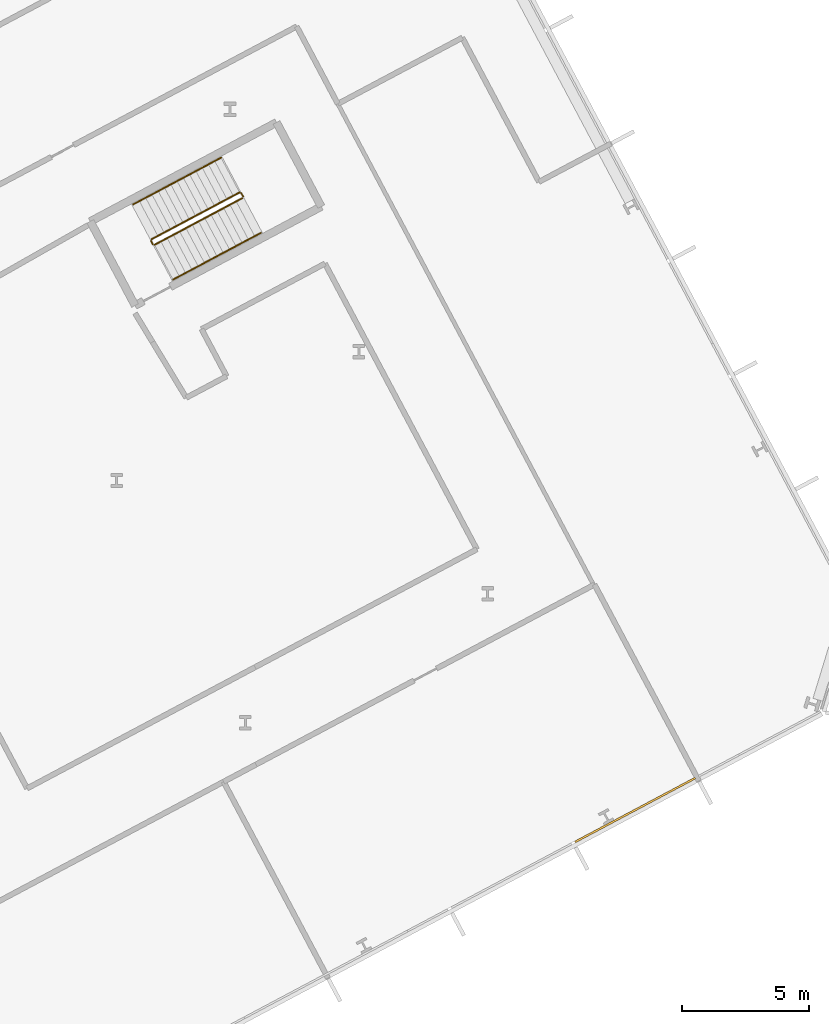
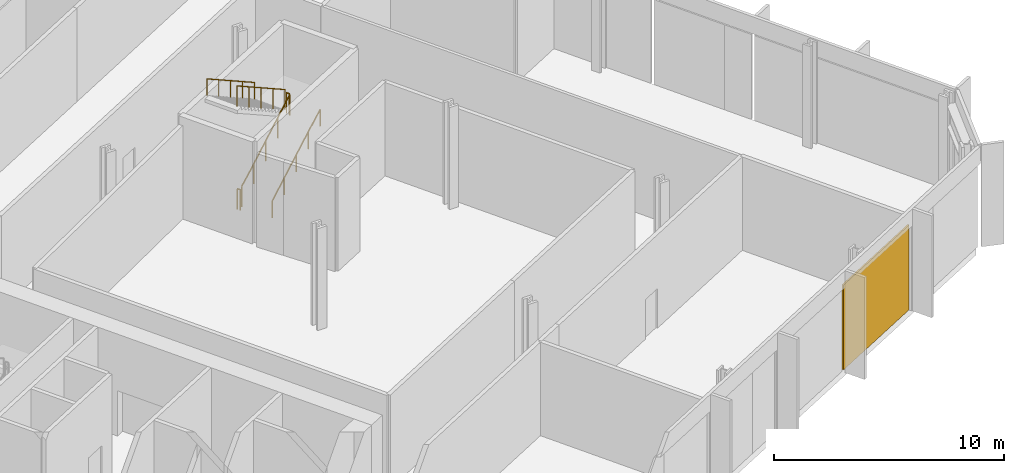
# One storey, part 29 of 31: 6 railings, 1 covering, 1 element without a shape of its own.
"""IFC4 building model written with IfcOpenShell, lengths in metres."""

from ifc_helpers import new_model, si_unit, direction, frame, origin, origin_2d, place, context, subcontext, project, spatial, polyline, rectangle, outline, extrude, material, layer, layer_set, type_object, element, aggregate, save


model = new_model("IFC4")

# Units and contexts
model_context = context("Model", 3, precision=1e-05, world=origin(), true_north=direction((0.0, 1.0)))
body_context = subcontext(model_context, "Body", "Model", "MODEL_VIEW")
ifc_project = project(units=[si_unit("LENGTHUNIT", "METRE"), si_unit("AREAUNIT", "SQUARE_METRE"), si_unit("VOLUMEUNIT", "CUBIC_METRE"), si_unit("PLANEANGLEUNIT", "RADIAN"), si_unit("MASSUNIT", "GRAM", prefix="KILO")], contexts=[model_context])

# Site, building, storey
site_placement = place(None, origin())
site = spatial("IfcSite", under=ifc_project, at=site_placement, CompositionType="ELEMENT")
building_placement = place(site_placement, origin())
building = spatial("IfcBuilding", under=site, at=building_placement, Name="Cormorant Relay Tower", CompositionType="ELEMENT")
storey_placement = place(building_placement, frame((0.0, 0.0, 50.0)))
storey = spatial("IfcBuildingStorey", under=building, at=storey_placement, Name="L09", CompositionType="ELEMENT", Elevation=50.0)

# Curtain wall, covering
ifc_material_1 = material(Name="Aluminium 6063-T6 anodised bronze", Category="aluminium")
ifc_layer_1 = layer(ifc_material_1, 0.235107421875)
ifc_layer_set_1 = layer_set([ifc_layer_1], Name="CW6 data hall curtain wall with mineral wool panels")
curtain_wall_type = type_object("IfcCurtainWallType", Name="CW6 data hall curtain wall with mineral wool panels", PredefinedType="NOTDEFINED", material=ifc_layer_set_1)
curtain_wall_placement = place(storey_placement, origin())
curtain_wall = element("IfcCurtainWall", 1, at=curtain_wall_placement, inside=storey, type_object=curtain_wall_type, Name="CW6 curtain wall 2", PredefinedType="NOTDEFINED")
ifc_material_2 = material(Name="Mineral wool cored anodised bronze aluminium cassette panel", Category="aluminium")
ifc_layer_2 = layer(ifc_material_2, 0.074951171875)
ifc_layer_set_2 = layer_set([ifc_layer_2], Name="CW6 mineral wool cassette panel 75")
covering_type = type_object("IfcCoveringType", Name="CW6 mineral wool cassette panel 75", PredefinedType="CLADDING", material=ifc_layer_set_2)
covering_placement = place(storey_placement, frame((63.5, 9.93701171875, 0.0), z_axis=(0.0, 0.0, 1.0), x_axis=(0.882947592859, 0.469471562786, 0.0)))
covering = element("IfcCovering", 2, at=covering_placement, type_object=covering_type, Name="CW6 panel S13", PredefinedType="CLADDING", context=body_context, shape_type="SweptSolid", body=[
    extrude(rectangle(XDim=5.36181640625, YDim=0.074951171875, at=origin_2d()), origin(), (0.0, 0.0, 1.0), 4.5),
])
aggregate(curtain_wall, [covering])

# Railings
ifc_material_3 = material(Name="Steel ASTM A572 Grade 50 (Fy 345 MPa)", Category="steel")
railing_type_1 = type_object("IfcRailingType", Name="Stair guard 1100", PredefinedType="GUARDRAIL", material=ifc_material_3)
railing_1_placement = place(storey_placement, frame((44.583740234375, 32.186279296875, 0.179931640625)))
element("IfcRailing", 3, at=railing_1_placement, inside=storey, type_object=railing_type_1, Name="L09 RB1 stair guard 1", PredefinedType="GUARDRAIL", context=body_context, shape_type="SweptSolid", body=[
    extrude(outline(polyline([(0.022216796875, 0.00927734375), (0.00927734375, 0.022216796875), (-0.00927734375, 0.022216796875), (-0.022216796875, 0.00927734375), (-0.022216796875, -0.00927734375), (-0.00927734375, -0.022216796875), (0.00927734375, -0.022216796875), (0.022216796875, -0.00927734375), (0.022216796875, 0.00927734375)])), frame((0.0, 0.0, 1.076171875), z_axis=(0.74271721126, 0.394907409077, 0.540758062681), x_axis=(-0.469469396681, 0.882948744594, 0.0)), (0.0, 0.0, 1.0), 4.66015625),
    extrude(outline(polyline([(0.019287109375, 0.008056640625), (0.008056640625, 0.019287109375), (-0.008056640625, 0.019287109375), (-0.019287109375, 0.008056640625), (-0.019287109375, -0.008056640625), (-0.008056640625, -0.019287109375), (0.008056640625, -0.019287109375), (0.019287109375, -0.008056640625), (0.019287109375, 0.008056640625)])), origin(), (0.0, 0.0, 1.0), 1.052001953125),
    extrude(outline(polyline([(0.019287109375, 0.008056640625), (0.008056640625, 0.019287109375), (-0.008056640625, 0.019287109375), (-0.019287109375, 0.008056640625), (-0.019287109375, -0.008056640625), (-0.008056640625, -0.019287109375), (0.008056640625, -0.019287109375), (0.019287109375, -0.008056640625), (0.019287109375, 0.008056640625)])), frame((0.865234375, 0.4599609375, 0.6298828125)), (0.0, 0.0, 1.0), 1.052001953125),
    extrude(outline(polyline([(0.019287109375, 0.008056640625), (0.008056640625, 0.019287109375), (-0.008056640625, 0.019287109375), (-0.019287109375, 0.008056640625), (-0.019287109375, -0.008056640625), (-0.008056640625, -0.019287109375), (0.008056640625, -0.019287109375), (0.019287109375, -0.008056640625), (0.019287109375, 0.008056640625)])), frame((1.73046875, 0.920166015625, 1.260009765625)), (0.0, 0.0, 1.0), 1.052001953125),
    extrude(outline(polyline([(0.019287109375, 0.008056640625), (0.008056640625, 0.019287109375), (-0.008056640625, 0.019287109375), (-0.019287109375, 0.008056640625), (-0.019287109375, -0.008056640625), (-0.008056640625, -0.019287109375), (0.008056640625, -0.019287109375), (0.019287109375, -0.008056640625), (0.019287109375, 0.008056640625)])), frame((2.595947265625, 1.38037109375, 1.89013671875)), (0.0, 0.0, 1.0), 1.052001953125),
    extrude(outline(polyline([(0.019287109375, 0.008056640625), (0.008056640625, 0.019287109375), (-0.008056640625, 0.019287109375), (-0.019287109375, 0.008056640625), (-0.019287109375, -0.008056640625), (-0.008056640625, -0.019287109375), (0.008056640625, -0.019287109375), (0.019287109375, -0.008056640625), (0.019287109375, 0.008056640625)])), frame((3.461181640625, 1.84033203125, 2.52001953125)), (0.0, 0.0, 1.0), 1.052001953125),
])
railing_2_placement = place(storey_placement, frame((48.065673828125, 34.09423828125, 2.699951171875)))
element("IfcRailing", 4, at=railing_2_placement, inside=storey, type_object=railing_type_1, Name="L09 RB1 stair guard 2", PredefinedType="GUARDRAIL", context=body_context, shape_type="SweptSolid", body=[
    extrude(outline(polyline([(0.022216796875, 0.00927734375), (0.00927734375, 0.022216796875), (-0.00927734375, 0.022216796875), (-0.022216796875, 0.00927734375), (-0.022216796875, -0.00927734375), (-0.00927734375, -0.022216796875), (0.00927734375, -0.022216796875), (0.022216796875, -0.00927734375), (0.022216796875, 0.00927734375)])), frame((0.0, 0.0, 1.076171875), z_axis=(-0.469828648786, 0.882757634224, 0.0), x_axis=(-0.882757634224, -0.469828648786, 0.0)), (0.0, 0.0, 1.0), 0.150146484375),
    extrude(outline(polyline([(0.019287109375, 0.008056640625), (0.008056640625, 0.019287109375), (-0.008056640625, 0.019287109375), (-0.019287109375, 0.008056640625), (-0.019287109375, -0.008056640625), (-0.008056640625, -0.019287109375), (0.008056640625, -0.019287109375), (0.019287109375, -0.008056640625), (0.019287109375, 0.008056640625)])), origin(), (0.0, 0.0, 1.0), 1.052001953125),
    extrude(outline(polyline([(0.019287109375, 0.008056640625), (0.008056640625, 0.019287109375), (-0.008056640625, 0.019287109375), (-0.019287109375, 0.008056640625), (-0.019287109375, -0.008056640625), (-0.008056640625, -0.019287109375), (0.008056640625, -0.019287109375), (0.019287109375, -0.008056640625), (0.019287109375, 0.008056640625)])), frame((-0.070556640625, 0.132568359375, 0.0)), (0.0, 0.0, 1.0), 1.052001953125),
])
railing_3_placement = place(storey_placement, frame((47.927490234375, 34.24755859375, 2.8798828125)))
element("IfcRailing", 5, at=railing_3_placement, inside=storey, type_object=railing_type_1, Name="L09 RB1 stair guard 3", PredefinedType="GUARDRAIL", context=body_context, shape_type="SweptSolid", body=[
    extrude(outline(polyline([(0.022216796875, 0.00927734375), (0.00927734375, 0.022216796875), (-0.00927734375, 0.022216796875), (-0.022216796875, 0.00927734375), (-0.022216796875, -0.00927734375), (-0.00927734375, -0.022216796875), (0.00927734375, -0.022216796875), (0.022216796875, -0.00927734375), (0.022216796875, 0.00927734375)])), frame((0.0, 0.0, 1.076171875), z_axis=(-0.74271721126, -0.394907409077, 0.540758062681), x_axis=(0.469469396681, -0.882948744594, 0.0)), (0.0, 0.0, 1.0), 4.66015625),
    extrude(outline(polyline([(0.019287109375, 0.008056640625), (0.008056640625, 0.019287109375), (-0.008056640625, 0.019287109375), (-0.019287109375, 0.008056640625), (-0.019287109375, -0.008056640625), (-0.008056640625, -0.019287109375), (0.008056640625, -0.019287109375), (0.019287109375, -0.008056640625), (0.019287109375, 0.008056640625)])), origin(), (0.0, 0.0, 1.0), 1.052001953125),
    extrude(outline(polyline([(0.019287109375, 0.008056640625), (0.008056640625, 0.019287109375), (-0.008056640625, 0.019287109375), (-0.019287109375, 0.008056640625), (-0.019287109375, -0.008056640625), (-0.008056640625, -0.019287109375), (0.008056640625, -0.019287109375), (0.019287109375, -0.008056640625), (0.019287109375, 0.008056640625)])), frame((-0.865234375, -0.4599609375, 0.6298828125)), (0.0, 0.0, 1.0), 1.052001953125),
    extrude(outline(polyline([(0.019287109375, 0.008056640625), (0.008056640625, 0.019287109375), (-0.008056640625, 0.019287109375), (-0.019287109375, 0.008056640625), (-0.019287109375, -0.008056640625), (-0.008056640625, -0.019287109375), (0.008056640625, -0.019287109375), (0.019287109375, -0.008056640625), (0.019287109375, 0.008056640625)])), frame((-1.73046875, -0.920166015625, 1.260009765625)), (0.0, 0.0, 1.0), 1.052001953125),
    extrude(outline(polyline([(0.019287109375, 0.008056640625), (0.008056640625, 0.019287109375), (-0.008056640625, 0.019287109375), (-0.019287109375, 0.008056640625), (-0.019287109375, -0.008056640625), (-0.008056640625, -0.019287109375), (0.008056640625, -0.019287109375), (0.019287109375, -0.008056640625), (0.019287109375, 0.008056640625)])), frame((-2.595947265625, -1.38037109375, 1.89013671875)), (0.0, 0.0, 1.0), 1.052001953125),
    extrude(outline(polyline([(0.019287109375, 0.008056640625), (0.008056640625, 0.019287109375), (-0.008056640625, 0.019287109375), (-0.019287109375, 0.008056640625), (-0.019287109375, -0.008056640625), (-0.008056640625, -0.019287109375), (0.008056640625, -0.019287109375), (0.019287109375, -0.008056640625), (0.019287109375, 0.008056640625)])), frame((-3.461181640625, -1.84033203125, 2.52001953125)), (0.0, 0.0, 1.0), 1.052001953125),
])
railing_4_placement = place(storey_placement, frame((44.51611328125, 32.20703125, 0.0)))
element("IfcRailing", 6, at=railing_4_placement, inside=storey, type_object=railing_type_1, Name="L09 RB1 stair guard 4", PredefinedType="GUARDRAIL", context=body_context, shape_type="SweptSolid", body=[
    extrude(outline(polyline([(0.022216796875, 0.00927734375), (0.00927734375, 0.022216796875), (-0.00927734375, 0.022216796875), (-0.022216796875, 0.00927734375), (-0.022216796875, -0.00927734375), (-0.00927734375, -0.022216796875), (0.00927734375, -0.022216796875), (0.022216796875, -0.00927734375), (0.022216796875, 0.00927734375)])), frame((0.0, 0.0, 1.076171875), z_axis=(-0.46856034887, 0.8834314911, 0.0), x_axis=(-0.8834314911, -0.46856034887, 0.0)), (0.0, 0.0, 1.0), 0.150146484375),
    extrude(outline(polyline([(0.019287109375, 0.008056640625), (0.008056640625, 0.019287109375), (-0.008056640625, 0.019287109375), (-0.019287109375, 0.008056640625), (-0.019287109375, -0.008056640625), (-0.008056640625, -0.019287109375), (0.008056640625, -0.019287109375), (0.019287109375, -0.008056640625), (0.019287109375, 0.008056640625)])), origin(), (0.0, 0.0, 1.0), 1.052001953125),
    extrude(outline(polyline([(0.019287109375, 0.008056640625), (0.008056640625, 0.019287109375), (-0.008056640625, 0.019287109375), (-0.019287109375, 0.008056640625), (-0.019287109375, -0.008056640625), (-0.008056640625, -0.019287109375), (0.008056640625, -0.019287109375), (0.019287109375, -0.008056640625), (0.019287109375, 0.008056640625)])), frame((-0.0703125, 0.132568359375, 0.0)), (0.0, 0.0, 1.0), 1.052001953125),
])
ifc_material_4 = material(Name="Steel ASTM A572 Grade 50 (Fy 345 MPa)", Category="steel")
railing_type_2 = type_object("IfcRailingType", Name="Stair handrail 900", PredefinedType="HANDRAIL", material=ifc_material_4)
railing_5_placement = place(storey_placement, frame((45.3115234375, 30.81787109375, 0.179931640625)))
element("IfcRailing", 7, at=railing_5_placement, inside=storey, type_object=railing_type_2, Name="L09 RB1 stair handrail 1", PredefinedType="HANDRAIL", context=body_context, shape_type="SweptSolid", body=[
    extrude(outline(polyline([(0.022216796875, 0.00927734375), (0.00927734375, 0.022216796875), (-0.00927734375, 0.022216796875), (-0.022216796875, 0.00927734375), (-0.022216796875, -0.00927734375), (-0.00927734375, -0.022216796875), (0.00927734375, -0.022216796875), (0.022216796875, -0.00927734375), (0.022216796875, 0.00927734375)])), frame((0.0, 0.0, 0.8759765625), z_axis=(0.74271721126, 0.394907409077, 0.540758062681), x_axis=(-0.469469396681, 0.882948744594, 0.0)), (0.0, 0.0, 1.0), 4.66015625),
    extrude(outline(polyline([(0.019287109375, 0.008056640625), (0.008056640625, 0.019287109375), (-0.008056640625, 0.019287109375), (-0.019287109375, 0.008056640625), (-0.019287109375, -0.008056640625), (-0.008056640625, -0.019287109375), (0.008056640625, -0.019287109375), (0.019287109375, -0.008056640625), (0.019287109375, 0.008056640625)])), origin(), (0.0, 0.0, 1.0), 0.851806640625),
    extrude(outline(polyline([(0.019287109375, 0.008056640625), (0.008056640625, 0.019287109375), (-0.008056640625, 0.019287109375), (-0.019287109375, 0.008056640625), (-0.019287109375, -0.008056640625), (-0.008056640625, -0.019287109375), (0.008056640625, -0.019287109375), (0.019287109375, -0.008056640625), (0.019287109375, 0.008056640625)])), frame((0.865234375, 0.4599609375, 0.6298828125)), (0.0, 0.0, 1.0), 0.851806640625),
    extrude(outline(polyline([(0.019287109375, 0.008056640625), (0.008056640625, 0.019287109375), (-0.008056640625, 0.019287109375), (-0.019287109375, 0.008056640625), (-0.019287109375, -0.008056640625), (-0.008056640625, -0.019287109375), (0.008056640625, -0.019287109375), (0.019287109375, -0.008056640625), (0.019287109375, 0.008056640625)])), frame((1.73046875, 0.920166015625, 1.260009765625)), (0.0, 0.0, 1.0), 0.851806640625),
    extrude(outline(polyline([(0.019287109375, 0.008056640625), (0.008056640625, 0.019287109375), (-0.008056640625, 0.019287109375), (-0.019287109375, 0.008056640625), (-0.019287109375, -0.008056640625), (-0.008056640625, -0.019287109375), (0.008056640625, -0.019287109375), (0.019287109375, -0.008056640625), (0.019287109375, 0.008056640625)])), frame((2.595947265625, 1.38037109375, 1.89013671875)), (0.0, 0.0, 1.0), 0.851806640625),
    extrude(outline(polyline([(0.019287109375, 0.008056640625), (0.008056640625, 0.019287109375), (-0.008056640625, 0.019287109375), (-0.019287109375, 0.008056640625), (-0.019287109375, -0.008056640625), (-0.008056640625, -0.019287109375), (0.008056640625, -0.019287109375), (0.019287109375, -0.008056640625), (0.019287109375, 0.008056640625)])), frame((3.461181640625, 1.84033203125, 2.52001953125)), (0.0, 0.0, 1.0), 0.851806640625),
])
railing_6_placement = place(storey_placement, frame((47.199951171875, 35.615966796875, 2.8798828125)))
element("IfcRailing", 8, at=railing_6_placement, inside=storey, type_object=railing_type_2, Name="L09 RB1 stair handrail 2", PredefinedType="HANDRAIL", context=body_context, shape_type="SweptSolid", body=[
    extrude(outline(polyline([(0.022216796875, 0.00927734375), (0.00927734375, 0.022216796875), (-0.00927734375, 0.022216796875), (-0.022216796875, 0.00927734375), (-0.022216796875, -0.00927734375), (-0.00927734375, -0.022216796875), (0.00927734375, -0.022216796875), (0.022216796875, -0.00927734375), (0.022216796875, 0.00927734375)])), frame((0.0, 0.0, 0.8759765625), z_axis=(-0.74271721126, -0.394907409077, 0.540758062681), x_axis=(0.469469396681, -0.882948744594, 0.0)), (0.0, 0.0, 1.0), 4.66015625),
    extrude(outline(polyline([(0.019287109375, 0.008056640625), (0.008056640625, 0.019287109375), (-0.008056640625, 0.019287109375), (-0.019287109375, 0.008056640625), (-0.019287109375, -0.008056640625), (-0.008056640625, -0.019287109375), (0.008056640625, -0.019287109375), (0.019287109375, -0.008056640625), (0.019287109375, 0.008056640625)])), origin(), (0.0, 0.0, 1.0), 0.851806640625),
    extrude(outline(polyline([(0.019287109375, 0.008056640625), (0.008056640625, 0.019287109375), (-0.008056640625, 0.019287109375), (-0.019287109375, 0.008056640625), (-0.019287109375, -0.008056640625), (-0.008056640625, -0.019287109375), (0.008056640625, -0.019287109375), (0.019287109375, -0.008056640625), (0.019287109375, 0.008056640625)])), frame((-0.865234375, -0.4599609375, 0.6298828125)), (0.0, 0.0, 1.0), 0.851806640625),
    extrude(outline(polyline([(0.019287109375, 0.008056640625), (0.008056640625, 0.019287109375), (-0.008056640625, 0.019287109375), (-0.019287109375, 0.008056640625), (-0.019287109375, -0.008056640625), (-0.008056640625, -0.019287109375), (0.008056640625, -0.019287109375), (0.019287109375, -0.008056640625), (0.019287109375, 0.008056640625)])), frame((-1.73046875, -0.920166015625, 1.260009765625)), (0.0, 0.0, 1.0), 0.851806640625),
    extrude(outline(polyline([(0.019287109375, 0.008056640625), (0.008056640625, 0.019287109375), (-0.008056640625, 0.019287109375), (-0.019287109375, 0.008056640625), (-0.019287109375, -0.008056640625), (-0.008056640625, -0.019287109375), (0.008056640625, -0.019287109375), (0.019287109375, -0.008056640625), (0.019287109375, 0.008056640625)])), frame((-2.595947265625, -1.38037109375, 1.89013671875)), (0.0, 0.0, 1.0), 0.851806640625),
    extrude(outline(polyline([(0.019287109375, 0.008056640625), (0.008056640625, 0.019287109375), (-0.008056640625, 0.019287109375), (-0.019287109375, 0.008056640625), (-0.019287109375, -0.008056640625), (-0.008056640625, -0.019287109375), (0.008056640625, -0.019287109375), (0.019287109375, -0.008056640625), (0.019287109375, 0.008056640625)])), frame((-3.461181640625, -1.84033203125, 2.52001953125)), (0.0, 0.0, 1.0), 0.851806640625),
])

save(model, "model.ifc")
